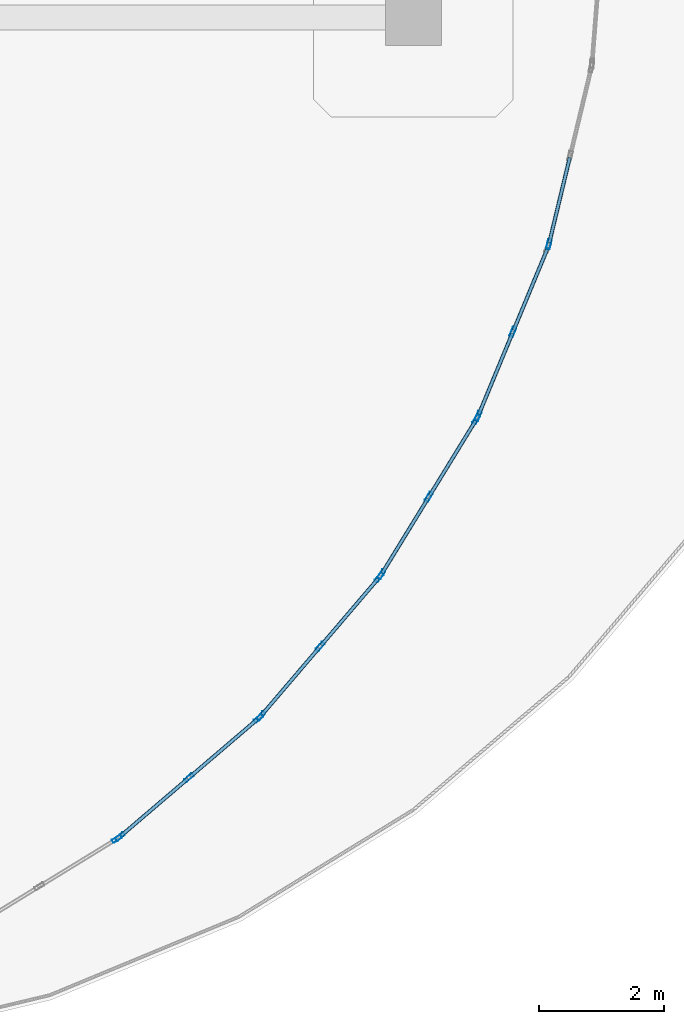
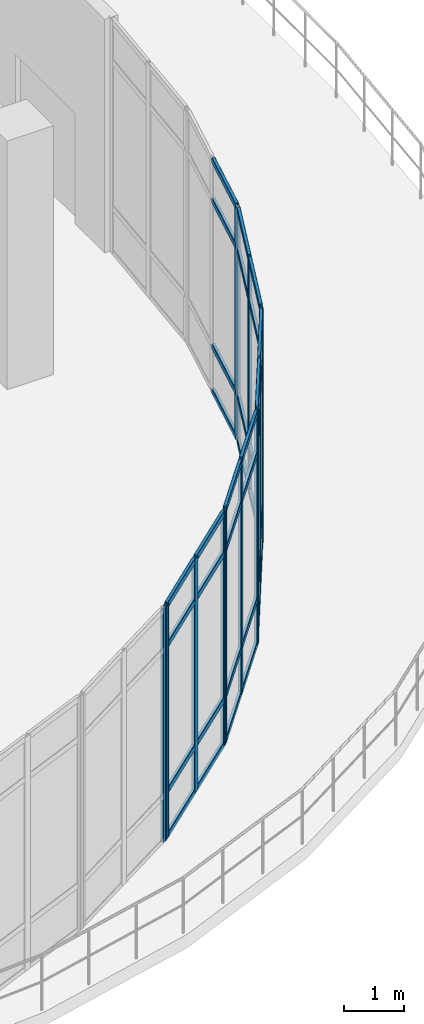
# One storey, part 67 of 120: 49 members, 6 elements without a shape of their own.
"""IFC4 building model written with IfcOpenShell, lengths in metres."""

from ifc_helpers import new_model, si_unit, derived_unit, direction, frame, origin, origin_2d, place, context, subcontext, project, spatial, hollow_rectangle, extrude, material, layer, layer_set, material_profile, profile_set, type_object, element, aggregate, save


model = new_model("IFC4")

# Units and contexts
model_context = context("Model", 3, precision=1e-05, world=origin(), true_north=direction((0.0, 1.0)))
body_context = subcontext(model_context, "Body", "Model", "MODEL_VIEW")
ifc_project = project(units=[si_unit("LENGTHUNIT", "METRE"), si_unit("AREAUNIT", "SQUARE_METRE"), si_unit("VOLUMEUNIT", "CUBIC_METRE"), si_unit("PLANEANGLEUNIT", "RADIAN"), si_unit("MASSUNIT", "GRAM", prefix="KILO"), derived_unit("THERMALTRANSMITTANCEUNIT", [(si_unit("MASSUNIT", "GRAM", prefix="KILO"), 1), (si_unit("TIMEUNIT", "SECOND"), -3), (si_unit("THERMODYNAMICTEMPERATUREUNIT", "KELVIN"), -1)])], contexts=[model_context])

# Site, building, storey
site_placement = place(None, origin())
site = spatial("IfcSite", under=ifc_project, at=site_placement, CompositionType="ELEMENT")
building_placement = place(site_placement, origin())
building = spatial("IfcBuilding", under=site, at=building_placement, Name="Qinzheling Arcade Emporium", CompositionType="ELEMENT")
storey_placement = place(building_placement, frame((0.0, 0.0, 11.39990234375)))
storey = spatial("IfcBuildingStorey", under=building, at=storey_placement, Name="L03", CompositionType="ELEMENT", Elevation=11.39990234375)

# Curtain wall, member
ifc_material_1 = material(Name="Anodised aluminium and solar-control double glazing", Category="aluminium")
ifc_layer = layer(ifc_material_1, 0.159912109375, Name="Anodised aluminium and solar-control double glazing", Category="aluminium")
ifc_layer_set = layer_set([ifc_layer], Name="Anodised aluminium and solar-control double glazing")
curtain_wall_type = type_object("IfcCurtainWallType", Name="Curved Ribbon Sales Curtain Wall", PredefinedType="NOTDEFINED", material=ifc_layer_set)
curtain_wall_1_placement = place(storey_placement, origin())
curtain_wall_1 = element("IfcCurtainWall", 1, at=curtain_wall_1_placement, inside=storey, type_object=curtain_wall_type, Name="Curtain Wall CW-L03-129", PredefinedType="NOTDEFINED")
ifc_material_2 = material(Name="Anodised aluminium 6063-T6", Category="aluminium")
ifc_material_profile_1 = material_profile(ifc_material_2, hollow_rectangle(XDim=0.06005859375, YDim=0.159912109375, WallThickness=0.00390625, InnerFilletRadius=0.00390625, OuterFilletRadius=0.008056640625, at=origin_2d()), Name="RHS 160x60x4", Category="aluminium")
ifc_profile_set_1 = profile_set([ifc_material_profile_1], Name="Anodised aluminium 6063-T6")
member_type_1 = type_object("IfcMemberType", Name="Curtain Wall Mullion RHS160x60", PredefinedType="MULLION", material=ifc_profile_set_1)
member_1_placement = place(storey_placement, frame((167.47705078125, 13.158203125, 0.0), z_axis=(0.0, 0.0, 1.0), x_axis=(0.972369031298, -0.233449067193, 0.0)))
member_1 = element("IfcMember", 2, at=member_1_placement, type_object=member_type_1, Name="CW02 mullion 3", PredefinedType="MULLION", context=body_context, shape_type="SweptSolid", body=[
    extrude(hollow_rectangle(XDim=0.06005859375, YDim=0.159912109375, WallThickness=0.00390625, InnerFilletRadius=0.00390625, OuterFilletRadius=0.008056640625, at=origin_2d()), origin(), (0.0, 0.0, 1.0), 4.7900390625),
])

# Curtain wall, members
curtain_wall_2_placement = place(storey_placement, origin())
curtain_wall_2 = element("IfcCurtainWall", 3, at=curtain_wall_2_placement, inside=storey, type_object=curtain_wall_type, Name="Curtain Wall CW-L03-130", PredefinedType="NOTDEFINED")
member_2_placement = place(storey_placement, frame((166.8994140625, 11.75146484375, 0.0), z_axis=(0.0, 0.0, 1.0), x_axis=(0.923898307913, -0.382638101391, 0.0)))
member_2 = element("IfcMember", 4, at=member_2_placement, type_object=member_type_1, Name="CW02 mullion 2", PredefinedType="MULLION", context=body_context, shape_type="SweptSolid", body=[
    extrude(hollow_rectangle(XDim=0.06005859375, YDim=0.159912109375, WallThickness=0.00390625, InnerFilletRadius=0.00390625, OuterFilletRadius=0.008056640625, at=origin_2d()), origin(), (0.0, 0.0, 1.0), 4.7900390625),
])
member_3_placement = place(storey_placement, frame((166.340576171875, 10.401611328125, 0.0), z_axis=(0.0, 0.0, 1.0), x_axis=(0.923898307913, -0.382638101391, 0.0)))
member_3 = element("IfcMember", 5, at=member_3_placement, type_object=member_type_1, Name="CW02 mullion 3", PredefinedType="MULLION", context=body_context, shape_type="SweptSolid", body=[
    extrude(hollow_rectangle(XDim=0.06005859375, YDim=0.159912109375, WallThickness=0.00390625, InnerFilletRadius=0.00390625, OuterFilletRadius=0.008056640625, at=origin_2d()), origin(), (0.0, 0.0, 1.0), 4.7900390625),
])

curtain_wall_3_placement = place(storey_placement, origin())
curtain_wall_3 = element("IfcCurtainWall", 6, at=curtain_wall_3_placement, inside=storey, type_object=curtain_wall_type, Name="Curtain Wall CW-L03-131", PredefinedType="NOTDEFINED")
member_4_placement = place(storey_placement, frame((166.313232421875, 10.348388671875, 0.0), z_axis=(0.0, 0.0, 1.0), x_axis=(0.852601252413, -0.522562057926, 0.0)))
member_4 = element("IfcMember", 7, at=member_4_placement, type_object=member_type_1, Name="CW02 mullion 1", PredefinedType="MULLION", context=body_context, shape_type="SweptSolid", body=[
    extrude(hollow_rectangle(XDim=0.06005859375, YDim=0.159912109375, WallThickness=0.00390625, InnerFilletRadius=0.00390625, OuterFilletRadius=0.008056640625, at=origin_2d()), origin(), (0.0, 0.0, 1.0), 4.7900390625),
])
member_5_placement = place(storey_placement, frame((165.550048828125, 9.10302734375, 0.0), z_axis=(0.0, 0.0, 1.0), x_axis=(0.852601252413, -0.522562057926, 0.0)))
member_5 = element("IfcMember", 8, at=member_5_placement, type_object=member_type_1, Name="CW02 mullion 2", PredefinedType="MULLION", context=body_context, shape_type="SweptSolid", body=[
    extrude(hollow_rectangle(XDim=0.06005859375, YDim=0.159912109375, WallThickness=0.00390625, InnerFilletRadius=0.00390625, OuterFilletRadius=0.008056640625, at=origin_2d()), origin(), (0.0, 0.0, 1.0), 4.7900390625),
])
member_6_placement = place(storey_placement, frame((164.78662109375, 7.857666015625, 0.0), z_axis=(0.0, 0.0, 1.0), x_axis=(0.852601252413, -0.522562057926, 0.0)))
member_6 = element("IfcMember", 9, at=member_6_placement, type_object=member_type_1, Name="CW02 mullion 3", PredefinedType="MULLION", context=body_context, shape_type="SweptSolid", body=[
    extrude(hollow_rectangle(XDim=0.06005859375, YDim=0.159912109375, WallThickness=0.00390625, InnerFilletRadius=0.00390625, OuterFilletRadius=0.008056640625, at=origin_2d()), origin(), (0.0, 0.0, 1.0), 4.7900390625),
])

curtain_wall_4_placement = place(storey_placement, origin())
curtain_wall_4 = element("IfcCurtainWall", 10, at=curtain_wall_4_placement, inside=storey, type_object=curtain_wall_type, Name="Curtain Wall CW-L03-132", PredefinedType="NOTDEFINED")
member_7_placement = place(storey_placement, frame((164.75146484375, 7.80908203125, 0.0), z_axis=(0.0, 0.0, 1.0), x_axis=(0.760439246879, -0.649409078937, 0.0)))
member_7 = element("IfcMember", 11, at=member_7_placement, type_object=member_type_1, Name="CW02 mullion 1", PredefinedType="MULLION", context=body_context, shape_type="SweptSolid", body=[
    extrude(hollow_rectangle(XDim=0.06005859375, YDim=0.159912109375, WallThickness=0.00390625, InnerFilletRadius=0.00390625, OuterFilletRadius=0.008056640625, at=origin_2d()), origin(), (0.0, 0.0, 1.0), 4.7900390625),
])
member_8_placement = place(storey_placement, frame((163.802978515625, 6.698486328125, 0.0), z_axis=(0.0, 0.0, 1.0), x_axis=(0.760439246879, -0.649409078937, 0.0)))
member_8 = element("IfcMember", 12, at=member_8_placement, type_object=member_type_1, Name="CW02 mullion 2", PredefinedType="MULLION", context=body_context, shape_type="SweptSolid", body=[
    extrude(hollow_rectangle(XDim=0.06005859375, YDim=0.159912109375, WallThickness=0.00390625, InnerFilletRadius=0.00390625, OuterFilletRadius=0.008056640625, at=origin_2d()), origin(), (0.0, 0.0, 1.0), 4.7900390625),
])
member_9_placement = place(storey_placement, frame((162.8544921875, 5.587890625, 0.0), z_axis=(0.0, 0.0, 1.0), x_axis=(0.760439246879, -0.649409078937, 0.0)))
member_9 = element("IfcMember", 13, at=member_9_placement, type_object=member_type_1, Name="CW02 mullion 3", PredefinedType="MULLION", context=body_context, shape_type="SweptSolid", body=[
    extrude(hollow_rectangle(XDim=0.06005859375, YDim=0.159912109375, WallThickness=0.00390625, InnerFilletRadius=0.00390625, OuterFilletRadius=0.008056640625, at=origin_2d()), origin(), (0.0, 0.0, 1.0), 4.7900390625),
])

curtain_wall_5_placement = place(storey_placement, origin())
curtain_wall_5 = element("IfcCurtainWall", 14, at=curtain_wall_5_placement, inside=storey, type_object=curtain_wall_type, Name="Curtain Wall CW-L03-133", PredefinedType="NOTDEFINED")
member_10_placement = place(storey_placement, frame((162.812255859375, 5.54541015625, 0.0), z_axis=(0.0, 0.0, 1.0), x_axis=(0.649409078937, -0.760439246879, 0.0)))
member_10 = element("IfcMember", 15, at=member_10_placement, type_object=member_type_1, Name="CW02 mullion 1", PredefinedType="MULLION", context=body_context, shape_type="SweptSolid", body=[
    extrude(hollow_rectangle(XDim=0.06005859375, YDim=0.159912109375, WallThickness=0.00390625, InnerFilletRadius=0.00390625, OuterFilletRadius=0.008056640625, at=origin_2d()), origin(), (0.0, 0.0, 1.0), 4.7900390625),
])
member_11_placement = place(storey_placement, frame((161.701416015625, 4.596923828125, 0.0), z_axis=(0.0, 0.0, 1.0), x_axis=(0.649409078937, -0.760439246879, 0.0)))
member_11 = element("IfcMember", 16, at=member_11_placement, type_object=member_type_1, Name="CW02 mullion 2", PredefinedType="MULLION", context=body_context, shape_type="SweptSolid", body=[
    extrude(hollow_rectangle(XDim=0.06005859375, YDim=0.159912109375, WallThickness=0.00390625, InnerFilletRadius=0.00390625, OuterFilletRadius=0.008056640625, at=origin_2d()), origin(), (0.0, 0.0, 1.0), 4.7900390625),
])
member_12_placement = place(storey_placement, frame((160.5908203125, 3.6484375, 0.0), z_axis=(0.0, 0.0, 1.0), x_axis=(0.649409078937, -0.760439246879, 0.0)))
member_12 = element("IfcMember", 17, at=member_12_placement, type_object=member_type_1, Name="CW02 mullion 3", PredefinedType="MULLION", context=body_context, shape_type="SweptSolid", body=[
    extrude(hollow_rectangle(XDim=0.06005859375, YDim=0.159912109375, WallThickness=0.00390625, InnerFilletRadius=0.00390625, OuterFilletRadius=0.008056640625, at=origin_2d()), origin(), (0.0, 0.0, 1.0), 4.7900390625),
])

# Curtain wall, member
curtain_wall_6_placement = place(storey_placement, origin())
curtain_wall_6 = element("IfcCurtainWall", 18, at=curtain_wall_6_placement, inside=storey, type_object=curtain_wall_type, Name="Curtain Wall CW-L03-134", PredefinedType="NOTDEFINED")
member_13_placement = place(storey_placement, frame((160.54248046875, 3.61328125, 0.0), z_axis=(0.0, 0.0, 1.0), x_axis=(0.522562057926, -0.852601252413, 0.0)))
member_13 = element("IfcMember", 19, at=member_13_placement, type_object=member_type_1, Name="CW02 mullion 1", PredefinedType="MULLION", context=body_context, shape_type="SweptSolid", body=[
    extrude(hollow_rectangle(XDim=0.06005859375, YDim=0.159912109375, WallThickness=0.00390625, InnerFilletRadius=0.00390625, OuterFilletRadius=0.008056640625, at=origin_2d()), origin(), (0.0, 0.0, 1.0), 4.7900390625),
])
aggregate(curtain_wall_6, [member_13])

# Member
ifc_material_profile_2 = material_profile(ifc_material_2, hollow_rectangle(XDim=0.06005859375, YDim=0.1201171875, WallThickness=0.00390625, InnerFilletRadius=0.00390625, OuterFilletRadius=0.008056640625, at=origin_2d()), Name="RHS 120x60x4", Category="aluminium")
ifc_profile_set_2 = profile_set([ifc_material_profile_2], Name="Anodised aluminium 6063-T6")
member_type_2 = type_object("IfcMemberType", Name="Curtain Wall Transom RHS120x60", PredefinedType="USERDEFINED", material=ifc_profile_set_2)
member_14_placement = place(storey_placement, frame((167.81103515625, 14.54931640625, 0.030029296875), z_axis=(-0.233544335282, -0.972346154133, 0.0), x_axis=(0.972346154133, -0.233544335282, 0.0)))
member_14 = element("IfcMember", 20, at=member_14_placement, type_object=member_type_2, Name="CW02 transom 2.1", ObjectType="TRANSOM", PredefinedType="USERDEFINED", context=body_context, shape_type="SweptSolid", body=[
    extrude(hollow_rectangle(XDim=0.06005859375, YDim=0.1201171875, WallThickness=0.00390625, InnerFilletRadius=0.00390625, OuterFilletRadius=0.008056640625, at=origin_2d()), origin(), (0.0, 0.0, 1.0), 1.40087890625),
])

member_15_placement = place(storey_placement, frame((167.81103515625, 14.54931640625, 0.9501953125), z_axis=(-0.233544335282, -0.972346154133, 0.0), x_axis=(0.972346154133, -0.233544335282, 0.0)))
member_15 = element("IfcMember", 21, at=member_15_placement, type_object=member_type_2, Name="CW02 transom 2.2", ObjectType="TRANSOM", PredefinedType="USERDEFINED", context=body_context, shape_type="SweptSolid", body=[
    extrude(hollow_rectangle(XDim=0.06005859375, YDim=0.1201171875, WallThickness=0.00390625, InnerFilletRadius=0.00390625, OuterFilletRadius=0.008056640625, at=origin_2d()), origin(), (0.0, 0.0, 1.0), 1.40087890625),
])

member_16_placement = place(storey_placement, frame((167.81103515625, 14.54931640625, 3.940185546875), z_axis=(-0.233544335282, -0.972346154133, 0.0), x_axis=(0.972346154133, -0.233544335282, 0.0)))
member_16 = element("IfcMember", 22, at=member_16_placement, type_object=member_type_2, Name="CW02 transom 2.3", ObjectType="TRANSOM", PredefinedType="USERDEFINED", context=body_context, shape_type="SweptSolid", body=[
    extrude(hollow_rectangle(XDim=0.06005859375, YDim=0.1201171875, WallThickness=0.00390625, InnerFilletRadius=0.00390625, OuterFilletRadius=0.008056640625, at=origin_2d()), origin(), (0.0, 0.0, 1.0), 1.40087890625),
])

member_17_placement = place(storey_placement, frame((167.81103515625, 14.54931640625, 4.760009765625), z_axis=(-0.233544335282, -0.972346154133, 0.0), x_axis=(0.972346154133, -0.233544335282, 0.0)))
member_17 = element("IfcMember", 23, at=member_17_placement, type_object=member_type_2, Name="CW02 transom 2.4", ObjectType="TRANSOM", PredefinedType="USERDEFINED", context=body_context, shape_type="SweptSolid", body=[
    extrude(hollow_rectangle(XDim=0.06005859375, YDim=0.1201171875, WallThickness=0.00390625, InnerFilletRadius=0.00390625, OuterFilletRadius=0.008056640625, at=origin_2d()), origin(), (0.0, 0.0, 1.0), 1.40087890625),
])

aggregate(curtain_wall_1, [member_1, member_14, member_15, member_16, member_17])

member_18_placement = place(storey_placement, frame((167.447021484375, 13.073486328125, 0.030029296875), z_axis=(-0.382721202621, -0.923863886655, 0.0), x_axis=(0.923863886655, -0.382721202621, 0.0)))
member_18 = element("IfcMember", 24, at=member_18_placement, type_object=member_type_2, Name="CW02 transom 1.1", ObjectType="TRANSOM", PredefinedType="USERDEFINED", context=body_context, shape_type="SweptSolid", body=[
    extrude(hollow_rectangle(XDim=0.06005859375, YDim=0.1201171875, WallThickness=0.00390625, InnerFilletRadius=0.00390625, OuterFilletRadius=0.008056640625, at=origin_2d()), origin(), (0.0, 0.0, 1.0), 1.40087890625),
])

member_19_placement = place(storey_placement, frame((167.447021484375, 13.073486328125, 0.9501953125), z_axis=(-0.382721202621, -0.923863886655, 0.0), x_axis=(0.923863886655, -0.382721202621, 0.0)))
member_19 = element("IfcMember", 25, at=member_19_placement, type_object=member_type_2, Name="CW02 transom 1.2", ObjectType="TRANSOM", PredefinedType="USERDEFINED", context=body_context, shape_type="SweptSolid", body=[
    extrude(hollow_rectangle(XDim=0.06005859375, YDim=0.1201171875, WallThickness=0.00390625, InnerFilletRadius=0.00390625, OuterFilletRadius=0.008056640625, at=origin_2d()), origin(), (0.0, 0.0, 1.0), 1.40087890625),
])

member_20_placement = place(storey_placement, frame((167.447021484375, 13.073486328125, 3.940185546875), z_axis=(-0.382721202621, -0.923863886655, 0.0), x_axis=(0.923863886655, -0.382721202621, 0.0)))
member_20 = element("IfcMember", 26, at=member_20_placement, type_object=member_type_2, Name="CW02 transom 1.3", ObjectType="TRANSOM", PredefinedType="USERDEFINED", context=body_context, shape_type="SweptSolid", body=[
    extrude(hollow_rectangle(XDim=0.06005859375, YDim=0.1201171875, WallThickness=0.00390625, InnerFilletRadius=0.00390625, OuterFilletRadius=0.008056640625, at=origin_2d()), origin(), (0.0, 0.0, 1.0), 1.40087890625),
])

member_21_placement = place(storey_placement, frame((167.447021484375, 13.073486328125, 4.760009765625), z_axis=(-0.382721202621, -0.923863886655, 0.0), x_axis=(0.923863886655, -0.382721202621, 0.0)))
member_21 = element("IfcMember", 27, at=member_21_placement, type_object=member_type_2, Name="CW02 transom 1.4", ObjectType="TRANSOM", PredefinedType="USERDEFINED", context=body_context, shape_type="SweptSolid", body=[
    extrude(hollow_rectangle(XDim=0.06005859375, YDim=0.1201171875, WallThickness=0.00390625, InnerFilletRadius=0.00390625, OuterFilletRadius=0.008056640625, at=origin_2d()), origin(), (0.0, 0.0, 1.0), 1.40087890625),
])

member_22_placement = place(storey_placement, frame((166.887939453125, 11.723876953125, 0.030029296875), z_axis=(-0.382510836698, -0.923951005091, 0.0), x_axis=(0.923951005091, -0.382510836698, 0.0)))
member_22 = element("IfcMember", 28, at=member_22_placement, type_object=member_type_2, Name="CW02 transom 2.1", ObjectType="TRANSOM", PredefinedType="USERDEFINED", context=body_context, shape_type="SweptSolid", body=[
    extrude(hollow_rectangle(XDim=0.06005859375, YDim=0.1201171875, WallThickness=0.00390625, InnerFilletRadius=0.00390625, OuterFilletRadius=0.008056640625, at=origin_2d()), origin(), (0.0, 0.0, 1.0), 1.40087890625),
])

member_23_placement = place(storey_placement, frame((166.887939453125, 11.723876953125, 0.9501953125), z_axis=(-0.382510836698, -0.923951005091, 0.0), x_axis=(0.923951005091, -0.382510836698, 0.0)))
member_23 = element("IfcMember", 29, at=member_23_placement, type_object=member_type_2, Name="CW02 transom 2.2", ObjectType="TRANSOM", PredefinedType="USERDEFINED", context=body_context, shape_type="SweptSolid", body=[
    extrude(hollow_rectangle(XDim=0.06005859375, YDim=0.1201171875, WallThickness=0.00390625, InnerFilletRadius=0.00390625, OuterFilletRadius=0.008056640625, at=origin_2d()), origin(), (0.0, 0.0, 1.0), 1.40087890625),
])

member_24_placement = place(storey_placement, frame((166.887939453125, 11.723876953125, 3.940185546875), z_axis=(-0.382510836698, -0.923951005091, 0.0), x_axis=(0.923951005091, -0.382510836698, 0.0)))
member_24 = element("IfcMember", 30, at=member_24_placement, type_object=member_type_2, Name="CW02 transom 2.3", ObjectType="TRANSOM", PredefinedType="USERDEFINED", context=body_context, shape_type="SweptSolid", body=[
    extrude(hollow_rectangle(XDim=0.06005859375, YDim=0.1201171875, WallThickness=0.00390625, InnerFilletRadius=0.00390625, OuterFilletRadius=0.008056640625, at=origin_2d()), origin(), (0.0, 0.0, 1.0), 1.40087890625),
])

member_25_placement = place(storey_placement, frame((166.887939453125, 11.723876953125, 4.760009765625), z_axis=(-0.382510836698, -0.923951005091, 0.0), x_axis=(0.923951005091, -0.382510836698, 0.0)))
member_25 = element("IfcMember", 31, at=member_25_placement, type_object=member_type_2, Name="CW02 transom 2.4", ObjectType="TRANSOM", PredefinedType="USERDEFINED", context=body_context, shape_type="SweptSolid", body=[
    extrude(hollow_rectangle(XDim=0.06005859375, YDim=0.1201171875, WallThickness=0.00390625, InnerFilletRadius=0.00390625, OuterFilletRadius=0.008056640625, at=origin_2d()), origin(), (0.0, 0.0, 1.0), 1.40087890625),
])

aggregate(curtain_wall_2, [member_2, member_3, member_18, member_19, member_20, member_21, member_22, member_23, member_24, member_25])

member_26_placement = place(storey_placement, frame((166.297607421875, 10.32275390625, 0.030029296875), z_axis=(-0.52259884573, -0.852578703958, 0.0), x_axis=(0.852578703958, -0.52259884573, 0.0)))
member_26 = element("IfcMember", 32, at=member_26_placement, type_object=member_type_2, Name="CW02 transom 1.1", ObjectType="TRANSOM", PredefinedType="USERDEFINED", context=body_context, shape_type="SweptSolid", body=[
    extrude(hollow_rectangle(XDim=0.06005859375, YDim=0.1201171875, WallThickness=0.00390625, InnerFilletRadius=0.00390625, OuterFilletRadius=0.008056640625, at=origin_2d()), origin(), (0.0, 0.0, 1.0), 1.400634765625),
])

member_27_placement = place(storey_placement, frame((166.297607421875, 10.32275390625, 0.9501953125), z_axis=(-0.52259884573, -0.852578703958, 0.0), x_axis=(0.852578703958, -0.52259884573, 0.0)))
member_27 = element("IfcMember", 33, at=member_27_placement, type_object=member_type_2, Name="CW02 transom 1.2", ObjectType="TRANSOM", PredefinedType="USERDEFINED", context=body_context, shape_type="SweptSolid", body=[
    extrude(hollow_rectangle(XDim=0.06005859375, YDim=0.1201171875, WallThickness=0.00390625, InnerFilletRadius=0.00390625, OuterFilletRadius=0.008056640625, at=origin_2d()), origin(), (0.0, 0.0, 1.0), 1.400634765625),
])

member_28_placement = place(storey_placement, frame((166.297607421875, 10.32275390625, 3.940185546875), z_axis=(-0.52259884573, -0.852578703958, 0.0), x_axis=(0.852578703958, -0.52259884573, 0.0)))
member_28 = element("IfcMember", 34, at=member_28_placement, type_object=member_type_2, Name="CW02 transom 1.3", ObjectType="TRANSOM", PredefinedType="USERDEFINED", context=body_context, shape_type="SweptSolid", body=[
    extrude(hollow_rectangle(XDim=0.06005859375, YDim=0.1201171875, WallThickness=0.00390625, InnerFilletRadius=0.00390625, OuterFilletRadius=0.008056640625, at=origin_2d()), origin(), (0.0, 0.0, 1.0), 1.400634765625),
])

member_29_placement = place(storey_placement, frame((166.297607421875, 10.32275390625, 4.760009765625), z_axis=(-0.52259884573, -0.852578703958, 0.0), x_axis=(0.852578703958, -0.52259884573, 0.0)))
member_29 = element("IfcMember", 35, at=member_29_placement, type_object=member_type_2, Name="CW02 transom 1.4", ObjectType="TRANSOM", PredefinedType="USERDEFINED", context=body_context, shape_type="SweptSolid", body=[
    extrude(hollow_rectangle(XDim=0.06005859375, YDim=0.1201171875, WallThickness=0.00390625, InnerFilletRadius=0.00390625, OuterFilletRadius=0.008056640625, at=origin_2d()), origin(), (0.0, 0.0, 1.0), 1.400634765625),
])

member_30_placement = place(storey_placement, frame((165.534423828125, 9.077392578125, 0.030029296875), z_axis=(-0.522647874046, -0.852548649495, 0.0), x_axis=(0.852548649495, -0.522647874046, 0.0)))
member_30 = element("IfcMember", 36, at=member_30_placement, type_object=member_type_2, Name="CW02 transom 2.1", ObjectType="TRANSOM", PredefinedType="USERDEFINED", context=body_context, shape_type="SweptSolid", body=[
    extrude(hollow_rectangle(XDim=0.06005859375, YDim=0.1201171875, WallThickness=0.00390625, InnerFilletRadius=0.00390625, OuterFilletRadius=0.008056640625, at=origin_2d()), origin(), (0.0, 0.0, 1.0), 1.40087890625),
])

member_31_placement = place(storey_placement, frame((165.534423828125, 9.077392578125, 0.9501953125), z_axis=(-0.522647874046, -0.852548649495, 0.0), x_axis=(0.852548649495, -0.522647874046, 0.0)))
member_31 = element("IfcMember", 37, at=member_31_placement, type_object=member_type_2, Name="CW02 transom 2.2", ObjectType="TRANSOM", PredefinedType="USERDEFINED", context=body_context, shape_type="SweptSolid", body=[
    extrude(hollow_rectangle(XDim=0.06005859375, YDim=0.1201171875, WallThickness=0.00390625, InnerFilletRadius=0.00390625, OuterFilletRadius=0.008056640625, at=origin_2d()), origin(), (0.0, 0.0, 1.0), 1.40087890625),
])

member_32_placement = place(storey_placement, frame((165.534423828125, 9.077392578125, 3.940185546875), z_axis=(-0.522647874046, -0.852548649495, 0.0), x_axis=(0.852548649495, -0.522647874046, 0.0)))
member_32 = element("IfcMember", 38, at=member_32_placement, type_object=member_type_2, Name="CW02 transom 2.3", ObjectType="TRANSOM", PredefinedType="USERDEFINED", context=body_context, shape_type="SweptSolid", body=[
    extrude(hollow_rectangle(XDim=0.06005859375, YDim=0.1201171875, WallThickness=0.00390625, InnerFilletRadius=0.00390625, OuterFilletRadius=0.008056640625, at=origin_2d()), origin(), (0.0, 0.0, 1.0), 1.40087890625),
])

member_33_placement = place(storey_placement, frame((165.534423828125, 9.077392578125, 4.760009765625), z_axis=(-0.522647874046, -0.852548649495, 0.0), x_axis=(0.852548649495, -0.522647874046, 0.0)))
member_33 = element("IfcMember", 39, at=member_33_placement, type_object=member_type_2, Name="CW02 transom 2.4", ObjectType="TRANSOM", PredefinedType="USERDEFINED", context=body_context, shape_type="SweptSolid", body=[
    extrude(hollow_rectangle(XDim=0.06005859375, YDim=0.1201171875, WallThickness=0.00390625, InnerFilletRadius=0.00390625, OuterFilletRadius=0.008056640625, at=origin_2d()), origin(), (0.0, 0.0, 1.0), 1.40087890625),
])

aggregate(curtain_wall_3, [member_4, member_5, member_6, member_26, member_27, member_28, member_29, member_30, member_31, member_32, member_33])

member_34_placement = place(storey_placement, frame((164.73193359375, 7.786376953125, 0.030029296875), z_axis=(-0.649311564978, -0.760522512215, 0.0), x_axis=(0.760522512215, -0.649311564978, 0.0)))
member_34 = element("IfcMember", 40, at=member_34_placement, type_object=member_type_2, Name="CW02 transom 1.1", ObjectType="TRANSOM", PredefinedType="USERDEFINED", context=body_context, shape_type="SweptSolid", body=[
    extrude(hollow_rectangle(XDim=0.06005859375, YDim=0.1201171875, WallThickness=0.00390625, InnerFilletRadius=0.00390625, OuterFilletRadius=0.008056640625, at=origin_2d()), origin(), (0.0, 0.0, 1.0), 1.400634765625),
])

member_35_placement = place(storey_placement, frame((164.73193359375, 7.786376953125, 0.9501953125), z_axis=(-0.649311564978, -0.760522512215, 0.0), x_axis=(0.760522512215, -0.649311564978, 0.0)))
member_35 = element("IfcMember", 41, at=member_35_placement, type_object=member_type_2, Name="CW02 transom 1.2", ObjectType="TRANSOM", PredefinedType="USERDEFINED", context=body_context, shape_type="SweptSolid", body=[
    extrude(hollow_rectangle(XDim=0.06005859375, YDim=0.1201171875, WallThickness=0.00390625, InnerFilletRadius=0.00390625, OuterFilletRadius=0.008056640625, at=origin_2d()), origin(), (0.0, 0.0, 1.0), 1.400634765625),
])

member_36_placement = place(storey_placement, frame((164.73193359375, 7.786376953125, 3.940185546875), z_axis=(-0.649311564978, -0.760522512215, 0.0), x_axis=(0.760522512215, -0.649311564978, 0.0)))
member_36 = element("IfcMember", 42, at=member_36_placement, type_object=member_type_2, Name="CW02 transom 1.3", ObjectType="TRANSOM", PredefinedType="USERDEFINED", context=body_context, shape_type="SweptSolid", body=[
    extrude(hollow_rectangle(XDim=0.06005859375, YDim=0.1201171875, WallThickness=0.00390625, InnerFilletRadius=0.00390625, OuterFilletRadius=0.008056640625, at=origin_2d()), origin(), (0.0, 0.0, 1.0), 1.400634765625),
])

member_37_placement = place(storey_placement, frame((164.73193359375, 7.786376953125, 4.760009765625), z_axis=(-0.649311564978, -0.760522512215, 0.0), x_axis=(0.760522512215, -0.649311564978, 0.0)))
member_37 = element("IfcMember", 43, at=member_37_placement, type_object=member_type_2, Name="CW02 transom 1.4", ObjectType="TRANSOM", PredefinedType="USERDEFINED", context=body_context, shape_type="SweptSolid", body=[
    extrude(hollow_rectangle(XDim=0.06005859375, YDim=0.1201171875, WallThickness=0.00390625, InnerFilletRadius=0.00390625, OuterFilletRadius=0.008056640625, at=origin_2d()), origin(), (0.0, 0.0, 1.0), 1.400634765625),
])

member_38_placement = place(storey_placement, frame((163.783447265625, 6.67578125, 0.030029296875), z_axis=(-0.649311564978, -0.760522512215, 0.0), x_axis=(0.760522512215, -0.649311564978, 0.0)))
member_38 = element("IfcMember", 44, at=member_38_placement, type_object=member_type_2, Name="CW02 transom 2.1", ObjectType="TRANSOM", PredefinedType="USERDEFINED", context=body_context, shape_type="SweptSolid", body=[
    extrude(hollow_rectangle(XDim=0.06005859375, YDim=0.1201171875, WallThickness=0.00390625, InnerFilletRadius=0.00390625, OuterFilletRadius=0.008056640625, at=origin_2d()), origin(), (0.0, 0.0, 1.0), 1.400634765625),
])

member_39_placement = place(storey_placement, frame((163.783447265625, 6.67578125, 0.9501953125), z_axis=(-0.649311564978, -0.760522512215, 0.0), x_axis=(0.760522512215, -0.649311564978, 0.0)))
member_39 = element("IfcMember", 45, at=member_39_placement, type_object=member_type_2, Name="CW02 transom 2.2", ObjectType="TRANSOM", PredefinedType="USERDEFINED", context=body_context, shape_type="SweptSolid", body=[
    extrude(hollow_rectangle(XDim=0.06005859375, YDim=0.1201171875, WallThickness=0.00390625, InnerFilletRadius=0.00390625, OuterFilletRadius=0.008056640625, at=origin_2d()), origin(), (0.0, 0.0, 1.0), 1.400634765625),
])

member_40_placement = place(storey_placement, frame((163.783447265625, 6.67578125, 3.940185546875), z_axis=(-0.649311564978, -0.760522512215, 0.0), x_axis=(0.760522512215, -0.649311564978, 0.0)))
member_40 = element("IfcMember", 46, at=member_40_placement, type_object=member_type_2, Name="CW02 transom 2.3", ObjectType="TRANSOM", PredefinedType="USERDEFINED", context=body_context, shape_type="SweptSolid", body=[
    extrude(hollow_rectangle(XDim=0.06005859375, YDim=0.1201171875, WallThickness=0.00390625, InnerFilletRadius=0.00390625, OuterFilletRadius=0.008056640625, at=origin_2d()), origin(), (0.0, 0.0, 1.0), 1.400634765625),
])

member_41_placement = place(storey_placement, frame((163.783447265625, 6.67578125, 4.760009765625), z_axis=(-0.649311564978, -0.760522512215, 0.0), x_axis=(0.760522512215, -0.649311564978, 0.0)))
member_41 = element("IfcMember", 47, at=member_41_placement, type_object=member_type_2, Name="CW02 transom 2.4", ObjectType="TRANSOM", PredefinedType="USERDEFINED", context=body_context, shape_type="SweptSolid", body=[
    extrude(hollow_rectangle(XDim=0.06005859375, YDim=0.1201171875, WallThickness=0.00390625, InnerFilletRadius=0.00390625, OuterFilletRadius=0.008056640625, at=origin_2d()), origin(), (0.0, 0.0, 1.0), 1.400634765625),
])

aggregate(curtain_wall_4, [member_7, member_8, member_9, member_34, member_35, member_36, member_37, member_38, member_39, member_40, member_41])

member_42_placement = place(storey_placement, frame((162.789306640625, 5.526123046875, 0.030029296875), z_axis=(-0.760362917351, -0.649498447971, 0.0), x_axis=(0.649498447971, -0.760362917351, 0.0)))
member_42 = element("IfcMember", 48, at=member_42_placement, type_object=member_type_2, Name="CW02 transom 1.1", ObjectType="TRANSOM", PredefinedType="USERDEFINED", context=body_context, shape_type="SweptSolid", body=[
    extrude(hollow_rectangle(XDim=0.06005859375, YDim=0.1201171875, WallThickness=0.00390625, InnerFilletRadius=0.00390625, OuterFilletRadius=0.008056640625, at=origin_2d()), origin(), (0.0, 0.0, 1.0), 1.400634765625),
])

member_43_placement = place(storey_placement, frame((162.789306640625, 5.526123046875, 0.9501953125), z_axis=(-0.760362917351, -0.649498447971, 0.0), x_axis=(0.649498447971, -0.760362917351, 0.0)))
member_43 = element("IfcMember", 49, at=member_43_placement, type_object=member_type_2, Name="CW02 transom 1.2", ObjectType="TRANSOM", PredefinedType="USERDEFINED", context=body_context, shape_type="SweptSolid", body=[
    extrude(hollow_rectangle(XDim=0.06005859375, YDim=0.1201171875, WallThickness=0.00390625, InnerFilletRadius=0.00390625, OuterFilletRadius=0.008056640625, at=origin_2d()), origin(), (0.0, 0.0, 1.0), 1.400634765625),
])

member_44_placement = place(storey_placement, frame((162.789306640625, 5.526123046875, 3.940185546875), z_axis=(-0.760362917351, -0.649498447971, 0.0), x_axis=(0.649498447971, -0.760362917351, 0.0)))
member_44 = element("IfcMember", 50, at=member_44_placement, type_object=member_type_2, Name="CW02 transom 1.3", ObjectType="TRANSOM", PredefinedType="USERDEFINED", context=body_context, shape_type="SweptSolid", body=[
    extrude(hollow_rectangle(XDim=0.06005859375, YDim=0.1201171875, WallThickness=0.00390625, InnerFilletRadius=0.00390625, OuterFilletRadius=0.008056640625, at=origin_2d()), origin(), (0.0, 0.0, 1.0), 1.400634765625),
])

member_45_placement = place(storey_placement, frame((162.789306640625, 5.526123046875, 4.760009765625), z_axis=(-0.760362917351, -0.649498447971, 0.0), x_axis=(0.649498447971, -0.760362917351, 0.0)))
member_45 = element("IfcMember", 51, at=member_45_placement, type_object=member_type_2, Name="CW02 transom 1.4", ObjectType="TRANSOM", PredefinedType="USERDEFINED", context=body_context, shape_type="SweptSolid", body=[
    extrude(hollow_rectangle(XDim=0.06005859375, YDim=0.1201171875, WallThickness=0.00390625, InnerFilletRadius=0.00390625, OuterFilletRadius=0.008056640625, at=origin_2d()), origin(), (0.0, 0.0, 1.0), 1.400634765625),
])

member_46_placement = place(storey_placement, frame((161.6787109375, 4.57763671875, 0.030029296875), z_axis=(-0.760436437294, -0.649412368865, 0.0), x_axis=(0.649412368865, -0.760436437294, 0.0)))
member_46 = element("IfcMember", 52, at=member_46_placement, type_object=member_type_2, Name="CW02 transom 2.1", ObjectType="TRANSOM", PredefinedType="USERDEFINED", context=body_context, shape_type="SweptSolid", body=[
    extrude(hollow_rectangle(XDim=0.06005859375, YDim=0.1201171875, WallThickness=0.00390625, InnerFilletRadius=0.00390625, OuterFilletRadius=0.008056640625, at=origin_2d()), origin(), (0.0, 0.0, 1.0), 1.400634765625),
])

member_47_placement = place(storey_placement, frame((161.6787109375, 4.57763671875, 0.9501953125), z_axis=(-0.760436437294, -0.649412368865, 0.0), x_axis=(0.649412368865, -0.760436437294, 0.0)))
member_47 = element("IfcMember", 53, at=member_47_placement, type_object=member_type_2, Name="CW02 transom 2.2", ObjectType="TRANSOM", PredefinedType="USERDEFINED", context=body_context, shape_type="SweptSolid", body=[
    extrude(hollow_rectangle(XDim=0.06005859375, YDim=0.1201171875, WallThickness=0.00390625, InnerFilletRadius=0.00390625, OuterFilletRadius=0.008056640625, at=origin_2d()), origin(), (0.0, 0.0, 1.0), 1.400634765625),
])

member_48_placement = place(storey_placement, frame((161.6787109375, 4.57763671875, 3.940185546875), z_axis=(-0.760436437294, -0.649412368865, 0.0), x_axis=(0.649412368865, -0.760436437294, 0.0)))
member_48 = element("IfcMember", 54, at=member_48_placement, type_object=member_type_2, Name="CW02 transom 2.3", ObjectType="TRANSOM", PredefinedType="USERDEFINED", context=body_context, shape_type="SweptSolid", body=[
    extrude(hollow_rectangle(XDim=0.06005859375, YDim=0.1201171875, WallThickness=0.00390625, InnerFilletRadius=0.00390625, OuterFilletRadius=0.008056640625, at=origin_2d()), origin(), (0.0, 0.0, 1.0), 1.400634765625),
])

member_49_placement = place(storey_placement, frame((161.6787109375, 4.57763671875, 4.760009765625), z_axis=(-0.760436437294, -0.649412368865, 0.0), x_axis=(0.649412368865, -0.760436437294, 0.0)))
member_49 = element("IfcMember", 55, at=member_49_placement, type_object=member_type_2, Name="CW02 transom 2.4", ObjectType="TRANSOM", PredefinedType="USERDEFINED", context=body_context, shape_type="SweptSolid", body=[
    extrude(hollow_rectangle(XDim=0.06005859375, YDim=0.1201171875, WallThickness=0.00390625, InnerFilletRadius=0.00390625, OuterFilletRadius=0.008056640625, at=origin_2d()), origin(), (0.0, 0.0, 1.0), 1.400634765625),
])

aggregate(curtain_wall_5, [member_10, member_11, member_12, member_42, member_43, member_44, member_45, member_46, member_47, member_48, member_49])

save(model, "model.ifc")
